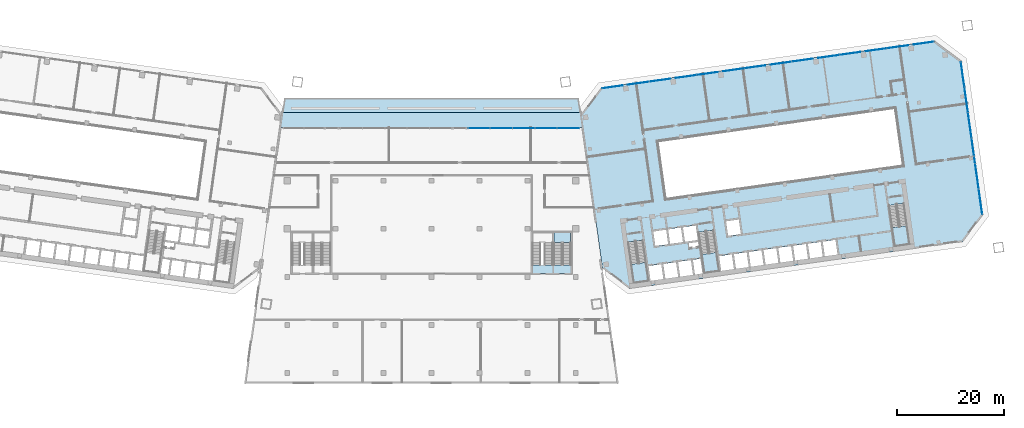
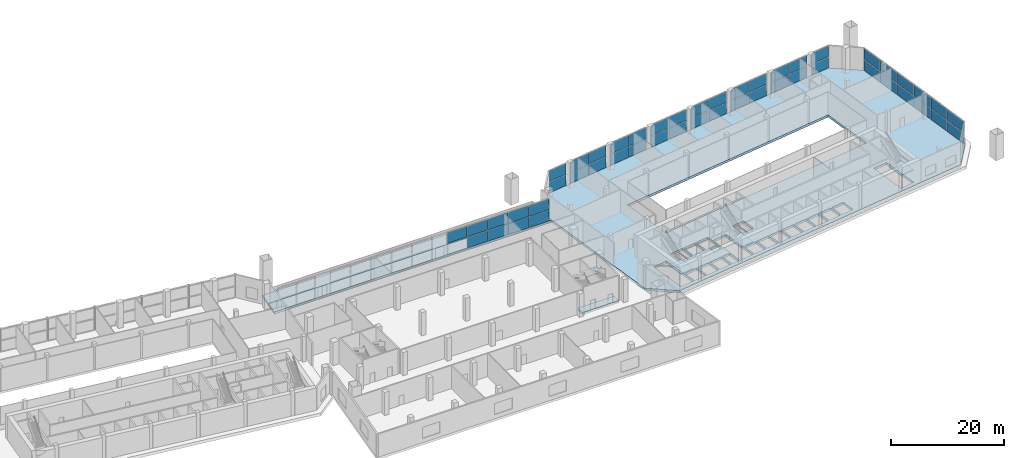
# One storey, part 9 of 23: 49 plates, 8 slabs, 7 elements without a shape of their own.
"""IFC4 building model written with IfcOpenShell, lengths in metres."""

from ifc_helpers import new_model, si_unit, direction, frame, origin, origin_2d, place, context, subcontext, project, spatial, polyline, rectangle, outline, extrude, material, layer, layer_set, type_object, element, aggregate, save


model = new_model("IFC4")

# Units and contexts
model_context = context("Model", 3, precision=1e-05, world=origin(), true_north=direction((0.0, 1.0)))
body_context = subcontext(model_context, "Body", "Model", "MODEL_VIEW")
ifc_project = project(units=[si_unit("LENGTHUNIT", "METRE"), si_unit("AREAUNIT", "SQUARE_METRE"), si_unit("VOLUMEUNIT", "CUBIC_METRE"), si_unit("PLANEANGLEUNIT", "RADIAN"), si_unit("MASSUNIT", "GRAM", prefix="KILO")], contexts=[model_context])

# Site, building, storey
site_placement = place(None, origin())
site = spatial("IfcSite", under=ifc_project, at=site_placement, CompositionType="ELEMENT")
building_placement = place(site_placement, origin())
building = spatial("IfcBuilding", under=site, at=building_placement, Name="Mirante Cascada Hotel Towers", CompositionType="ELEMENT")
storey_placement = place(building_placement, frame((0.0, 0.0, 29.0)))
storey = spatial("IfcBuildingStorey", under=building, at=storey_placement, Name="L04", CompositionType="ELEMENT", Elevation=29.0)

# Curtain wall, plates
ifc_material_1 = material(Name="Aluminium mullion and transom frame with clear laminated glass", Category="aluminium")
curtain_wall_type = type_object("IfcCurtainWallType", Name="Podium curtain wall ECW3", PredefinedType="NOTDEFINED", material=ifc_material_1)
curtain_wall_1_placement = place(storey_placement, origin())
curtain_wall_1 = element("IfcCurtainWall", 1, at=curtain_wall_1_placement, inside=storey, type_object=curtain_wall_type, Name="Front podium glazing T2 L04", PredefinedType="NOTDEFINED")
ifc_material_2 = material(Name="Clear laminated glass", Category="glass")
ifc_layer_1 = layer(ifc_material_2, 0.04)
ifc_layer_set_1 = layer_set([ifc_layer_1], Name="ECW3 glass panel 40")
plate_type = type_object("IfcPlateType", Name="ECW3 glass panel 40", PredefinedType="CURTAIN_PANEL", material=ifc_layer_set_1)
plate_1_placement = place(storey_placement, frame((92.1787, 25.7739, 0.12), z_axis=(0.0, 0.0, 1.0), x_axis=(-0.9902681, -0.1391731, 0.0)))
plate_1 = element("IfcPlate", 2, at=plate_1_placement, type_object=plate_type, Name="ECW3 panel 1", PredefinedType="CURTAIN_PANEL", context=body_context, shape_type="SweptSolid", body=[
    extrude(rectangle(XDim=3.8379, YDim=0.04, at=origin_2d()), origin(), (0.0, 0.0, 1.0), 2.32),
])
plate_2_placement = place(storey_placement, frame((92.1787, 25.7739, 2.56), z_axis=(0.0, 0.0, 1.0), x_axis=(-0.9902681, -0.1391731, 0.0)))
plate_2 = element("IfcPlate", 3, at=plate_2_placement, type_object=plate_type, Name="ECW3 panel 1", PredefinedType="CURTAIN_PANEL", context=body_context, shape_type="SweptSolid", body=[
    extrude(rectangle(XDim=3.8379, YDim=0.04, at=origin_2d()), origin(), (0.0, 0.0, 1.0), 2.32),
])
plate_3_placement = place(storey_placement, frame((87.2757, 25.0848, 0.12), z_axis=(0.0, 0.0, 1.0), x_axis=(-0.9902681, -0.1391731, 0.0)))
plate_3 = element("IfcPlate", 4, at=plate_3_placement, type_object=plate_type, Name="ECW3 panel 2", PredefinedType="CURTAIN_PANEL", context=body_context, shape_type="SweptSolid", body=[
    extrude(rectangle(XDim=3.9844, YDim=0.04, at=origin_2d()), origin(), (0.0, 0.0, 1.0), 2.32),
])
plate_4_placement = place(storey_placement, frame((87.2757, 25.0848, 2.56), z_axis=(0.0, 0.0, 1.0), x_axis=(-0.9902681, -0.1391731, 0.0)))
plate_4 = element("IfcPlate", 5, at=plate_4_placement, type_object=plate_type, Name="ECW3 panel 2", PredefinedType="CURTAIN_PANEL", context=body_context, shape_type="SweptSolid", body=[
    extrude(rectangle(XDim=3.9844, YDim=0.04, at=origin_2d()), origin(), (0.0, 0.0, 1.0), 2.32),
])
plate_5_placement = place(storey_placement, frame((83.2949, 24.5254, 0.12), z_axis=(0.0, 0.0, 1.0), x_axis=(-0.9902681, -0.1391731, 0.0)))
plate_5 = element("IfcPlate", 6, at=plate_5_placement, type_object=plate_type, Name="ECW3 panel 3", PredefinedType="CURTAIN_PANEL", context=body_context, shape_type="SweptSolid", body=[
    extrude(rectangle(XDim=3.8956, YDim=0.04, at=origin_2d()), origin(), (0.0, 0.0, 1.0), 2.32),
])
plate_6_placement = place(storey_placement, frame((83.2949, 24.5254, 2.56), z_axis=(0.0, 0.0, 1.0), x_axis=(-0.9902681, -0.1391731, 0.0)))
plate_6 = element("IfcPlate", 7, at=plate_6_placement, type_object=plate_type, Name="ECW3 panel 3", PredefinedType="CURTAIN_PANEL", context=body_context, shape_type="SweptSolid", body=[
    extrude(rectangle(XDim=3.8956, YDim=0.04, at=origin_2d()), origin(), (0.0, 0.0, 1.0), 2.32),
])
plate_7_placement = place(storey_placement, frame((78.3721, 23.8335, 0.12), z_axis=(0.0, 0.0, 1.0), x_axis=(-0.9902681, -0.1391731, 0.0)))
plate_7 = element("IfcPlate", 8, at=plate_7_placement, type_object=plate_type, Name="ECW3 panel 4", PredefinedType="CURTAIN_PANEL", context=body_context, shape_type="SweptSolid", body=[
    extrude(rectangle(XDim=3.9666, YDim=0.04, at=origin_2d()), origin(), (0.0, 0.0, 1.0), 2.32),
])
plate_8_placement = place(storey_placement, frame((78.3721, 23.8335, 2.56), z_axis=(0.0, 0.0, 1.0), x_axis=(-0.9902681, -0.1391731, 0.0)))
plate_8 = element("IfcPlate", 9, at=plate_8_placement, type_object=plate_type, Name="ECW3 panel 4", PredefinedType="CURTAIN_PANEL", context=body_context, shape_type="SweptSolid", body=[
    extrude(rectangle(XDim=3.9666, YDim=0.04, at=origin_2d()), origin(), (0.0, 0.0, 1.0), 2.32),
])
plate_9_placement = place(storey_placement, frame((74.3912, 23.274, 0.12), z_axis=(0.0, 0.0, 1.0), x_axis=(-0.9902681, -0.1391731, 0.0)))
plate_9 = element("IfcPlate", 10, at=plate_9_placement, type_object=plate_type, Name="ECW3 panel 5", PredefinedType="CURTAIN_PANEL", context=body_context, shape_type="SweptSolid", body=[
    extrude(rectangle(XDim=3.9134, YDim=0.04, at=origin_2d()), origin(), (0.0, 0.0, 1.0), 2.32),
])
plate_10_placement = place(storey_placement, frame((74.3912, 23.274, 2.56), z_axis=(0.0, 0.0, 1.0), x_axis=(-0.9902681, -0.1391731, 0.0)))
plate_10 = element("IfcPlate", 11, at=plate_10_placement, type_object=plate_type, Name="ECW3 panel 5", PredefinedType="CURTAIN_PANEL", context=body_context, shape_type="SweptSolid", body=[
    extrude(rectangle(XDim=3.9134, YDim=0.04, at=origin_2d()), origin(), (0.0, 0.0, 1.0), 2.32),
])
plate_11_placement = place(storey_placement, frame((69.4685, 22.5822, 0.12), z_axis=(0.0, 0.0, 1.0), x_axis=(-0.9902681, -0.1391731, 0.0)))
plate_11 = element("IfcPlate", 12, at=plate_11_placement, type_object=plate_type, Name="ECW3 panel 6", PredefinedType="CURTAIN_PANEL", context=body_context, shape_type="SweptSolid", body=[
    extrude(rectangle(XDim=3.9489, YDim=0.04, at=origin_2d()), origin(), (0.0, 0.0, 1.0), 2.32),
])
plate_12_placement = place(storey_placement, frame((69.4685, 22.5822, 2.56), z_axis=(0.0, 0.0, 1.0), x_axis=(-0.9902681, -0.1391731, 0.0)))
plate_12 = element("IfcPlate", 13, at=plate_12_placement, type_object=plate_type, Name="ECW3 panel 6", PredefinedType="CURTAIN_PANEL", context=body_context, shape_type="SweptSolid", body=[
    extrude(rectangle(XDim=3.9489, YDim=0.04, at=origin_2d()), origin(), (0.0, 0.0, 1.0), 2.32),
])
plate_13_placement = place(storey_placement, frame((65.4876, 22.0227, 0.12), z_axis=(0.0, 0.0, 1.0), x_axis=(-0.9902681, -0.1391731, 0.0)))
plate_13 = element("IfcPlate", 14, at=plate_13_placement, type_object=plate_type, Name="ECW3 panel 7", PredefinedType="CURTAIN_PANEL", context=body_context, shape_type="SweptSolid", body=[
    extrude(rectangle(XDim=3.9311, YDim=0.04, at=origin_2d()), origin(), (0.0, 0.0, 1.0), 2.32),
])
plate_14_placement = place(storey_placement, frame((65.4876, 22.0227, 2.56), z_axis=(0.0, 0.0, 1.0), x_axis=(-0.9902681, -0.1391731, 0.0)))
plate_14 = element("IfcPlate", 15, at=plate_14_placement, type_object=plate_type, Name="ECW3 panel 7", PredefinedType="CURTAIN_PANEL", context=body_context, shape_type="SweptSolid", body=[
    extrude(rectangle(XDim=3.9311, YDim=0.04, at=origin_2d()), origin(), (0.0, 0.0, 1.0), 2.32),
])
plate_15_placement = place(storey_placement, frame((60.5649, 21.3309, 0.12), z_axis=(0.0, 0.0, 1.0), x_axis=(-0.9902681, -0.1391731, 0.0)))
plate_15 = element("IfcPlate", 16, at=plate_15_placement, type_object=plate_type, Name="ECW3 panel 8", PredefinedType="CURTAIN_PANEL", context=body_context, shape_type="SweptSolid", body=[
    extrude(rectangle(XDim=3.9311, YDim=0.04, at=origin_2d()), origin(), (0.0, 0.0, 1.0), 2.32),
])
plate_16_placement = place(storey_placement, frame((60.5649, 21.3309, 2.56), z_axis=(0.0, 0.0, 1.0), x_axis=(-0.9902681, -0.1391731, 0.0)))
plate_16 = element("IfcPlate", 17, at=plate_16_placement, type_object=plate_type, Name="ECW3 panel 8", PredefinedType="CURTAIN_PANEL", context=body_context, shape_type="SweptSolid", body=[
    extrude(rectangle(XDim=3.9311, YDim=0.04, at=origin_2d()), origin(), (0.0, 0.0, 1.0), 2.32),
])
plate_17_placement = place(storey_placement, frame((56.584, 20.7714, 0.12), z_axis=(0.0, 0.0, 1.0), x_axis=(-0.9902681, -0.1391731, 0.0)))
plate_17 = element("IfcPlate", 18, at=plate_17_placement, type_object=plate_type, Name="ECW3 panel 9", PredefinedType="CURTAIN_PANEL", context=body_context, shape_type="SweptSolid", body=[
    extrude(rectangle(XDim=3.9489, YDim=0.04, at=origin_2d()), origin(), (0.0, 0.0, 1.0), 2.32),
])
plate_18_placement = place(storey_placement, frame((56.584, 20.7714, 2.56), z_axis=(0.0, 0.0, 1.0), x_axis=(-0.9902681, -0.1391731, 0.0)))
plate_18 = element("IfcPlate", 19, at=plate_18_placement, type_object=plate_type, Name="ECW3 panel 9", PredefinedType="CURTAIN_PANEL", context=body_context, shape_type="SweptSolid", body=[
    extrude(rectangle(XDim=3.9489, YDim=0.04, at=origin_2d()), origin(), (0.0, 0.0, 1.0), 2.32),
])
plate_19_placement = place(storey_placement, frame((51.6612, 20.0795, 0.12), z_axis=(0.0, 0.0, 1.0), x_axis=(-0.9902681, -0.1391731, 0.0)))
plate_19 = element("IfcPlate", 20, at=plate_19_placement, type_object=plate_type, Name="ECW3 panel 10", PredefinedType="CURTAIN_PANEL", context=body_context, shape_type="SweptSolid", body=[
    extrude(rectangle(XDim=3.9134, YDim=0.04, at=origin_2d()), origin(), (0.0, 0.0, 1.0), 2.32),
])
plate_20_placement = place(storey_placement, frame((51.6612, 20.0795, 2.56), z_axis=(0.0, 0.0, 1.0), x_axis=(-0.9902681, -0.1391731, 0.0)))
plate_20 = element("IfcPlate", 21, at=plate_20_placement, type_object=plate_type, Name="ECW3 panel 10", PredefinedType="CURTAIN_PANEL", context=body_context, shape_type="SweptSolid", body=[
    extrude(rectangle(XDim=3.9134, YDim=0.04, at=origin_2d()), origin(), (0.0, 0.0, 1.0), 2.32),
])
plate_21_placement = place(storey_placement, frame((47.6804, 19.5201, 0.12), z_axis=(0.0, 0.0, 1.0), x_axis=(-0.9902681, -0.1391731, 0.0)))
plate_21 = element("IfcPlate", 22, at=plate_21_placement, type_object=plate_type, Name="ECW3 panel 11", PredefinedType="CURTAIN_PANEL", context=body_context, shape_type="SweptSolid", body=[
    extrude(rectangle(XDim=3.9666, YDim=0.04, at=origin_2d()), origin(), (0.0, 0.0, 1.0), 2.32),
])
plate_22_placement = place(storey_placement, frame((47.6804, 19.5201, 2.56), z_axis=(0.0, 0.0, 1.0), x_axis=(-0.9902681, -0.1391731, 0.0)))
plate_22 = element("IfcPlate", 23, at=plate_22_placement, type_object=plate_type, Name="ECW3 panel 11", PredefinedType="CURTAIN_PANEL", context=body_context, shape_type="SweptSolid", body=[
    extrude(rectangle(XDim=3.9666, YDim=0.04, at=origin_2d()), origin(), (0.0, 0.0, 1.0), 2.32),
])
plate_23_placement = place(storey_placement, frame((42.7576, 18.8282, 0.12), z_axis=(0.0, 0.0, 1.0), x_axis=(-0.9902681, -0.1391731, 0.0)))
plate_23 = element("IfcPlate", 24, at=plate_23_placement, type_object=plate_type, Name="ECW3 panel 12", PredefinedType="CURTAIN_PANEL", context=body_context, shape_type="SweptSolid", body=[
    extrude(rectangle(XDim=3.8956, YDim=0.04, at=origin_2d()), origin(), (0.0, 0.0, 1.0), 2.32),
])
plate_24_placement = place(storey_placement, frame((42.7576, 18.8282, 2.56), z_axis=(0.0, 0.0, 1.0), x_axis=(-0.9902681, -0.1391731, 0.0)))
plate_24 = element("IfcPlate", 25, at=plate_24_placement, type_object=plate_type, Name="ECW3 panel 12", PredefinedType="CURTAIN_PANEL", context=body_context, shape_type="SweptSolid", body=[
    extrude(rectangle(XDim=3.8956, YDim=0.04, at=origin_2d()), origin(), (0.0, 0.0, 1.0), 2.32),
])
plate_25_placement = place(storey_placement, frame((38.7767, 18.2687, 0.12), z_axis=(0.0, 0.0, 1.0), x_axis=(-0.9902681, -0.1391731, 0.0)))
plate_25 = element("IfcPlate", 26, at=plate_25_placement, type_object=plate_type, Name="ECW3 panel 13", PredefinedType="CURTAIN_PANEL", context=body_context, shape_type="SweptSolid", body=[
    extrude(rectangle(XDim=3.9844, YDim=0.04, at=origin_2d()), origin(), (0.0, 0.0, 1.0), 2.32),
])
plate_26_placement = place(storey_placement, frame((38.7767, 18.2687, 2.56), z_axis=(0.0, 0.0, 1.0), x_axis=(-0.9902681, -0.1391731, 0.0)))
plate_26 = element("IfcPlate", 27, at=plate_26_placement, type_object=plate_type, Name="ECW3 panel 13", PredefinedType="CURTAIN_PANEL", context=body_context, shape_type="SweptSolid", body=[
    extrude(rectangle(XDim=3.9844, YDim=0.04, at=origin_2d()), origin(), (0.0, 0.0, 1.0), 2.32),
])
plate_27_placement = place(storey_placement, frame((33.8738, 17.5797, 0.12), z_axis=(0.0, 0.0, 1.0), x_axis=(-0.9902681, -0.1391731, 0.0)))
plate_27 = element("IfcPlate", 28, at=plate_27_placement, type_object=plate_type, Name="ECW3 panel 14", PredefinedType="CURTAIN_PANEL", context=body_context, shape_type="SweptSolid", body=[
    extrude(rectangle(XDim=3.8379, YDim=0.04, at=origin_2d()), origin(), (0.0, 0.0, 1.0), 2.32),
])
plate_28_placement = place(storey_placement, frame((33.8738, 17.5797, 2.56), z_axis=(0.0, 0.0, 1.0), x_axis=(-0.9902681, -0.1391731, 0.0)))
plate_28 = element("IfcPlate", 29, at=plate_28_placement, type_object=plate_type, Name="ECW3 panel 14", PredefinedType="CURTAIN_PANEL", context=body_context, shape_type="SweptSolid", body=[
    extrude(rectangle(XDim=3.8379, YDim=0.04, at=origin_2d()), origin(), (0.0, 0.0, 1.0), 2.32),
])
aggregate(curtain_wall_1, [plate_1, plate_2, plate_3, plate_4, plate_5, plate_6, plate_7, plate_8, plate_9, plate_10, plate_11, plate_12, plate_13, plate_14, plate_15, plate_16, plate_17, plate_18, plate_19, plate_20, plate_21, plate_22, plate_23, plate_24, plate_25, plate_26, plate_27, plate_28])

curtain_wall_2_placement = place(storey_placement, origin())
curtain_wall_2 = element("IfcCurtainWall", 30, at=curtain_wall_2_placement, inside=storey, type_object=curtain_wall_type, Name="Outer end podium glazing T2 L04", PredefinedType="NOTDEFINED")
plate_29_placement = place(storey_placement, frame((102.8224, -3.8951, 0.12), z_axis=(0.0, 0.0, 1.0), x_axis=(-0.1391731, 0.9902681, 0.0)))
plate_29 = element("IfcPlate", 31, at=plate_29_placement, type_object=plate_type, Name="ECW3 panel 1", PredefinedType="CURTAIN_PANEL", context=body_context, shape_type="SweptSolid", body=[
    extrude(rectangle(XDim=4.6926, YDim=0.04, at=origin_2d()), origin(), (0.0, 0.0, 1.0), 2.32),
])
plate_30_placement = place(storey_placement, frame((102.8224, -3.8951, 2.56), z_axis=(0.0, 0.0, 1.0), x_axis=(-0.1391731, 0.9902681, 0.0)))
plate_30 = element("IfcPlate", 32, at=plate_30_placement, type_object=plate_type, Name="ECW3 panel 1", PredefinedType="CURTAIN_PANEL", context=body_context, shape_type="SweptSolid", body=[
    extrude(rectangle(XDim=4.6926, YDim=0.04, at=origin_2d()), origin(), (0.0, 0.0, 1.0), 2.32),
])
plate_31_placement = place(storey_placement, frame((102.1554, 0.8509, 0.12), z_axis=(0.0, 0.0, 1.0), x_axis=(-0.1391731, 0.9902681, 0.0)))
plate_31 = element("IfcPlate", 33, at=plate_31_placement, type_object=plate_type, Name="ECW3 panel 2", PredefinedType="CURTAIN_PANEL", context=body_context, shape_type="SweptSolid", body=[
    extrude(rectangle(XDim=4.7326, YDim=0.04, at=origin_2d()), origin(), (0.0, 0.0, 1.0), 2.32),
])
plate_32_placement = place(storey_placement, frame((102.1554, 0.8509, 2.56), z_axis=(0.0, 0.0, 1.0), x_axis=(-0.1391731, 0.9902681, 0.0)))
plate_32 = element("IfcPlate", 34, at=plate_32_placement, type_object=plate_type, Name="ECW3 panel 2", PredefinedType="CURTAIN_PANEL", context=body_context, shape_type="SweptSolid", body=[
    extrude(rectangle(XDim=4.7326, YDim=0.04, at=origin_2d()), origin(), (0.0, 0.0, 1.0), 2.32),
])
plate_33_placement = place(storey_placement, frame((101.4857, 5.6167, 0.12), z_axis=(0.0, 0.0, 1.0), x_axis=(-0.1391731, 0.9902681, 0.0)))
plate_33 = element("IfcPlate", 35, at=plate_33_placement, type_object=plate_type, Name="ECW3 panel 3", PredefinedType="CURTAIN_PANEL", context=body_context, shape_type="SweptSolid", body=[
    extrude(rectangle(XDim=4.7326, YDim=0.04, at=origin_2d()), origin(), (0.0, 0.0, 1.0), 2.32),
])
plate_34_placement = place(storey_placement, frame((101.4857, 5.6167, 2.56), z_axis=(0.0, 0.0, 1.0), x_axis=(-0.1391731, 0.9902681, 0.0)))
plate_34 = element("IfcPlate", 36, at=plate_34_placement, type_object=plate_type, Name="ECW3 panel 3", PredefinedType="CURTAIN_PANEL", context=body_context, shape_type="SweptSolid", body=[
    extrude(rectangle(XDim=4.7326, YDim=0.04, at=origin_2d()), origin(), (0.0, 0.0, 1.0), 2.32),
])
plate_35_placement = place(storey_placement, frame((100.8159, 10.3825, 0.12), z_axis=(0.0, 0.0, 1.0), x_axis=(-0.1391731, 0.9902681, 0.0)))
plate_35 = element("IfcPlate", 37, at=plate_35_placement, type_object=plate_type, Name="ECW3 panel 4", PredefinedType="CURTAIN_PANEL", context=body_context, shape_type="SweptSolid", body=[
    extrude(rectangle(XDim=4.7326, YDim=0.04, at=origin_2d()), origin(), (0.0, 0.0, 1.0), 2.32),
])
plate_36_placement = place(storey_placement, frame((100.8159, 10.3825, 2.56), z_axis=(0.0, 0.0, 1.0), x_axis=(-0.1391731, 0.9902681, 0.0)))
plate_36 = element("IfcPlate", 38, at=plate_36_placement, type_object=plate_type, Name="ECW3 panel 4", PredefinedType="CURTAIN_PANEL", context=body_context, shape_type="SweptSolid", body=[
    extrude(rectangle(XDim=4.7326, YDim=0.04, at=origin_2d()), origin(), (0.0, 0.0, 1.0), 2.32),
])
plate_37_placement = place(storey_placement, frame((100.1461, 15.1483, 0.12), z_axis=(0.0, 0.0, 1.0), x_axis=(-0.1391731, 0.9902681, 0.0)))
plate_37 = element("IfcPlate", 39, at=plate_37_placement, type_object=plate_type, Name="ECW3 panel 5", PredefinedType="CURTAIN_PANEL", context=body_context, shape_type="SweptSolid", body=[
    extrude(rectangle(XDim=4.7326, YDim=0.04, at=origin_2d()), origin(), (0.0, 0.0, 1.0), 2.32),
])
plate_38_placement = place(storey_placement, frame((100.1461, 15.1483, 2.56), z_axis=(0.0, 0.0, 1.0), x_axis=(-0.1391731, 0.9902681, 0.0)))
plate_38 = element("IfcPlate", 40, at=plate_38_placement, type_object=plate_type, Name="ECW3 panel 5", PredefinedType="CURTAIN_PANEL", context=body_context, shape_type="SweptSolid", body=[
    extrude(rectangle(XDim=4.7326, YDim=0.04, at=origin_2d()), origin(), (0.0, 0.0, 1.0), 2.32),
])
plate_39_placement = place(storey_placement, frame((99.4791, 19.8942, 0.12), z_axis=(0.0, 0.0, 1.0), x_axis=(-0.1391731, 0.9902681, 0.0)))
plate_39 = element("IfcPlate", 41, at=plate_39_placement, type_object=plate_type, Name="ECW3 panel 6", PredefinedType="CURTAIN_PANEL", context=body_context, shape_type="SweptSolid", body=[
    extrude(rectangle(XDim=4.6926, YDim=0.04, at=origin_2d()), origin(), (0.0, 0.0, 1.0), 2.32),
])
plate_40_placement = place(storey_placement, frame((99.4791, 19.8942, 2.56), z_axis=(0.0, 0.0, 1.0), x_axis=(-0.1391731, 0.9902681, 0.0)))
plate_40 = element("IfcPlate", 42, at=plate_40_placement, type_object=plate_type, Name="ECW3 panel 6", PredefinedType="CURTAIN_PANEL", context=body_context, shape_type="SweptSolid", body=[
    extrude(rectangle(XDim=4.6926, YDim=0.04, at=origin_2d()), origin(), (0.0, 0.0, 1.0), 2.32),
])
aggregate(curtain_wall_2, [plate_29, plate_30, plate_31, plate_32, plate_33, plate_34, plate_35, plate_36, plate_37, plate_38, plate_39, plate_40])

curtain_wall_3_placement = place(storey_placement, origin())
curtain_wall_3 = element("IfcCurtainWall", 43, at=curtain_wall_3_placement, inside=storey, type_object=curtain_wall_type, Name="Podium curtain wall L04 run 3.1", PredefinedType="NOTDEFINED")
plate_41_placement = place(storey_placement, frame((25.5985, 9.85, 0.12), z_axis=(0.0, 0.0, 1.0), x_axis=(-1.0, 0.0, 0.0)))
plate_41 = element("IfcPlate", 44, at=plate_41_placement, type_object=plate_type, Name="ECW3 panel 1", PredefinedType="CURTAIN_PANEL", context=body_context, shape_type="SweptSolid", body=[
    extrude(rectangle(XDim=4.0581, YDim=0.04, at=origin_2d()), origin(), (0.0, 0.0, 1.0), 2.32),
])
plate_42_placement = place(storey_placement, frame((25.5985, 9.85, 2.56), z_axis=(0.0, 0.0, 1.0), x_axis=(-1.0, 0.0, 0.0)))
plate_42 = element("IfcPlate", 45, at=plate_42_placement, type_object=plate_type, Name="ECW3 panel 1", PredefinedType="CURTAIN_PANEL", context=body_context, shape_type="SweptSolid", body=[
    extrude(rectangle(XDim=4.0581, YDim=0.04, at=origin_2d()), origin(), (0.0, 0.0, 1.0), 2.32),
])
plate_43_placement = place(storey_placement, frame((21.4404, 9.85, 0.12), z_axis=(0.0, 0.0, 1.0), x_axis=(-1.0, 0.0, 0.0)))
plate_43 = element("IfcPlate", 46, at=plate_43_placement, type_object=plate_type, Name="ECW3 panel 2", PredefinedType="CURTAIN_PANEL", context=body_context, shape_type="SweptSolid", body=[
    extrude(rectangle(XDim=4.0981, YDim=0.04, at=origin_2d()), origin(), (0.0, 0.0, 1.0), 2.32),
])
plate_44_placement = place(storey_placement, frame((21.4404, 9.85, 2.56), z_axis=(0.0, 0.0, 1.0), x_axis=(-1.0, 0.0, 0.0)))
plate_44 = element("IfcPlate", 47, at=plate_44_placement, type_object=plate_type, Name="ECW3 panel 2", PredefinedType="CURTAIN_PANEL", context=body_context, shape_type="SweptSolid", body=[
    extrude(rectangle(XDim=4.0981, YDim=0.04, at=origin_2d()), origin(), (0.0, 0.0, 1.0), 2.32),
])
plate_45_placement = place(storey_placement, frame((17.2623, 9.85, 0.12), z_axis=(0.0, 0.0, 1.0), x_axis=(-1.0, 0.0, 0.0)))
plate_45 = element("IfcPlate", 48, at=plate_45_placement, type_object=plate_type, Name="ECW3 panel 3", PredefinedType="CURTAIN_PANEL", context=body_context, shape_type="SweptSolid", body=[
    extrude(rectangle(XDim=4.0981, YDim=0.04, at=origin_2d()), origin(), (0.0, 0.0, 1.0), 2.32),
])
plate_46_placement = place(storey_placement, frame((17.2623, 9.85, 2.56), z_axis=(0.0, 0.0, 1.0), x_axis=(-1.0, 0.0, 0.0)))
plate_46 = element("IfcPlate", 49, at=plate_46_placement, type_object=plate_type, Name="ECW3 panel 3", PredefinedType="CURTAIN_PANEL", context=body_context, shape_type="SweptSolid", body=[
    extrude(rectangle(XDim=4.0981, YDim=0.04, at=origin_2d()), origin(), (0.0, 0.0, 1.0), 2.32),
])
plate_47_placement = place(storey_placement, frame((13.0842, 9.85, 0.12), z_axis=(0.0, 0.0, 1.0), x_axis=(-1.0, 0.0, 0.0)))
plate_47 = element("IfcPlate", 50, at=plate_47_placement, type_object=plate_type, Name="ECW3 panel 4", PredefinedType="CURTAIN_PANEL", context=body_context, shape_type="SweptSolid", body=[
    extrude(rectangle(XDim=4.0981, YDim=0.04, at=origin_2d()), origin(), (0.0, 0.0, 1.0), 2.32),
])
plate_48_placement = place(storey_placement, frame((13.0842, 9.85, 2.56), z_axis=(0.0, 0.0, 1.0), x_axis=(-1.0, 0.0, 0.0)))
plate_48 = element("IfcPlate", 51, at=plate_48_placement, type_object=plate_type, Name="ECW3 panel 4", PredefinedType="CURTAIN_PANEL", context=body_context, shape_type="SweptSolid", body=[
    extrude(rectangle(XDim=4.0981, YDim=0.04, at=origin_2d()), origin(), (0.0, 0.0, 1.0), 2.32),
])
plate_49_placement = place(storey_placement, frame((8.9261, 9.85, 2.56), z_axis=(0.0, 0.0, 1.0), x_axis=(-1.0, 0.0, 0.0)))
plate_49 = element("IfcPlate", 52, at=plate_49_placement, type_object=plate_type, Name="ECW3 panel 5", PredefinedType="CURTAIN_PANEL", context=body_context, shape_type="SweptSolid", body=[
    extrude(rectangle(XDim=4.0581, YDim=0.04, at=origin_2d()), origin(), (0.0, 0.0, 1.0), 2.32),
])
aggregate(curtain_wall_3, [plate_41, plate_42, plate_43, plate_44, plate_45, plate_46, plate_47, plate_48, plate_49])

# Stair, slab
ifc_material_3 = material(Name="Concrete C35/45", Category="concrete")
stair_type_1 = type_object("IfcStairType", Name="Exit stair half-turn 1350 concrete C35/45", PredefinedType="HALF_TURN_STAIR", material=ifc_material_3)
stair_1_placement = place(storey_placement, origin())
stair_1 = element("IfcStair", 53, at=stair_1_placement, inside=storey, type_object=stair_type_1, Name="L04 Exit stair A", PredefinedType="HALF_TURN_STAIR")
ifc_material_4 = material(Name="Concrete C35/45", Category="concrete")
ifc_layer_2 = layer(ifc_material_4, 0.2)
ifc_layer_set_2 = layer_set([ifc_layer_2], Name="Exit stair landing 200 concrete C35/45")
slab_type_1 = type_object("IfcSlabType", Name="Exit stair landing 200 concrete C35/45", PredefinedType="LANDING", material=ifc_layer_set_2)
slab_1_placement = place(storey_placement, frame((0.0, 0.0, 2.55)))
slab_1 = element("IfcSlab", 54, at=slab_1_placement, type_object=slab_type_1, Name="ST2-A landing 1", PredefinedType="LANDING", context=body_context, shape_type="SweptSolid", body=[
    extrude(outline(polyline([(37.3713, -15.6489), (37.8665, -19.1723), (40.6887, -18.7757), (40.1936, -15.2523), (37.3713, -15.6489)])), origin(), (0.0, 0.0, 1.0), 0.2),
])
aggregate(stair_1, [slab_1])

stair_2_placement = place(storey_placement, origin())
stair_2 = element("IfcStair", 55, at=stair_2_placement, inside=storey, type_object=stair_type_1, Name="L04 Exit stair B", PredefinedType="HALF_TURN_STAIR")
slab_2_placement = place(storey_placement, frame((0.0, 0.0, 2.55)))
slab_2 = element("IfcSlab", 56, at=slab_2_placement, type_object=slab_type_1, Name="ST2-B landing 1", PredefinedType="LANDING", context=body_context, shape_type="SweptSolid", body=[
    extrude(outline(polyline([(50.5914, -13.791), (51.0866, -17.3144), (53.9088, -16.9177), (53.4136, -13.3943), (50.5914, -13.791)])), origin(), (0.0, 0.0, 1.0), 0.2),
])
aggregate(stair_2, [slab_2])

stair_3_placement = place(storey_placement, origin())
stair_3 = element("IfcStair", 57, at=stair_3_placement, inside=storey, type_object=stair_type_1, Name="L04 Exit stair C", PredefinedType="HALF_TURN_STAIR")
slab_3_placement = place(storey_placement, frame((0.0, 0.0, 2.55)))
slab_3 = element("IfcSlab", 58, at=slab_3_placement, type_object=slab_type_1, Name="ST2-C landing 1", PredefinedType="LANDING", context=body_context, shape_type="SweptSolid", body=[
    extrude(outline(polyline([(86.241, -8.7808), (86.7362, -12.3041), (89.5585, -11.9075), (89.0633, -8.3841), (86.241, -8.7808)])), origin(), (0.0, 0.0, 1.0), 0.2),
])
aggregate(stair_3, [slab_3])

ifc_material_5 = material(Name="Concrete C35/45", Category="concrete")
stair_type_2 = type_object("IfcStairType", Name="Podium exit stair half-turn 1500 concrete C35/45", PredefinedType="HALF_TURN_STAIR", material=ifc_material_5)
stair_4_placement = place(storey_placement, origin())
stair_4 = element("IfcStair", 59, at=stair_4_placement, inside=storey, type_object=stair_type_2, Name="L04 Podium exit stair 4", PredefinedType="HALF_TURN_STAIR")
ifc_material_6 = material(Name="Concrete C35/45", Category="concrete")
ifc_layer_3 = layer(ifc_material_6, 0.2)
ifc_layer_set_3 = layer_set([ifc_layer_3], Name="Podium exit stair landing 200 concrete C35/45")
slab_type_2 = type_object("IfcSlabType", Name="Podium exit stair landing 200 concrete C35/45", PredefinedType="LANDING", material=ifc_layer_set_3)
slab_4_placement = place(storey_placement, frame((0.0, 0.0, 2.55)))
slab_4 = element("IfcSlab", 60, at=slab_4_placement, type_object=slab_type_2, Name="PS2 landing 1", PredefinedType="LANDING", context=body_context, shape_type="SweptSolid", body=[
    extrude(outline(polyline([(26.075, -11.575), (26.075, -9.725), (22.925, -9.725), (22.925, -11.575), (26.075, -11.575)])), origin(), (0.0, 0.0, 1.0), 0.2),
])
aggregate(stair_4, [slab_4])

# Slabs
ifc_material_7 = material(Name="Concrete C40/50", Category="concrete")
ifc_layer_4 = layer(ifc_material_7, 0.5)
ifc_layer_set_4 = layer_set([ifc_layer_4], Name="Post-tensioned flat plate 500 Concrete C40/50")
slab_type_3 = type_object("IfcSlabType", Name="Post-tensioned flat plate 500 Concrete C40/50", PredefinedType="FLOOR", material=ifc_layer_set_4)
slab_5_placement = place(storey_placement, frame((0.0, 0.0, -0.5)))
element("IfcSlab", 61, at=slab_5_placement, inside=storey, type_object=slab_type_3, Name="Floor T2 L04", PredefinedType="FLOOR", context=body_context, shape_type="SweptSolid", body=[
    extrude(outline(polyline([(32.018, -16.3589), (27.982, 12.3589), (31.8119, 17.4414), (94.1988, 26.2093), (99.2813, 22.3794), (103.3173, -6.3384), (99.4874, -11.4209), (37.1005, -20.1888), (32.018, -16.3589)]), holes=[polyline([(43.0718, -15.6132), (40.5961, -15.9612), (40.9858, -18.7339), (43.4615, -18.386), (43.0718, -15.6132)]), polyline([(45.8446, -15.2236), (43.3689, -15.5715), (43.7586, -18.3442), (46.2342, -17.9963), (45.8446, -15.2236)]), polyline([(48.6173, -14.8339), (46.1416, -15.1818), (46.5313, -17.9546), (49.007, -17.6066), (48.6173, -14.8339)]), polyline([(50.7895, -17.3561), (50.3998, -14.5834), (48.9144, -14.7921), (49.3041, -17.5649), (50.7895, -17.3561)]), polyline([(56.6816, -16.528), (56.2919, -13.7553), (53.8162, -14.1032), (54.2059, -16.876), (56.6816, -16.528)]), polyline([(37.8665, -19.1723), (40.6887, -18.7757), (39.611, -11.107), (36.7887, -11.5037), (37.8665, -19.1723)]), polyline([(51.0866, -17.3144), (53.9088, -16.9177), (52.8311, -9.2491), (50.0088, -9.6457), (51.0866, -17.3144)]), polyline([(49.9544, -11.4145), (48.1472, -11.6685), (48.2829, -12.634), (50.0901, -12.38), (49.9544, -11.4145)]), polyline([(44.3672, -11.8968), (43.9775, -9.124), (41.5018, -9.472), (41.8915, -12.2447), (44.3672, -11.8968)]), polyline([(47.1399, -11.5071), (46.7503, -8.7344), (44.2746, -9.0823), (44.6643, -11.855), (47.1399, -11.5071)]), polyline([(49.523, -8.3447), (47.0473, -8.6926), (47.437, -11.4654), (49.9127, -11.1174), (49.523, -8.3447)]), polyline([(59.0646, -13.3656), (56.589, -13.7135), (56.9787, -16.4863), (59.4543, -16.1383), (59.0646, -13.3656)]), polyline([(61.8374, -12.9759), (59.3617, -13.3238), (59.7514, -16.0966), (62.2271, -15.7487), (61.8374, -12.9759)]), polyline([(64.9998, -15.359), (64.6101, -12.5862), (62.1345, -12.9342), (62.5242, -15.7069), (64.9998, -15.359)]), polyline([(67.7726, -14.9693), (67.3829, -12.1965), (64.9072, -12.5445), (65.2969, -15.3172), (67.7726, -14.9693)]), polyline([(70.1556, -11.8069), (67.68, -12.1548), (68.0697, -14.9275), (70.5453, -14.5796), (70.1556, -11.8069)]), polyline([(73.3181, -14.1899), (72.9284, -11.4172), (70.4527, -11.7651), (70.8424, -14.5379), (73.3181, -14.1899)]), polyline([(76.0908, -13.8002), (75.7011, -11.0275), (73.2255, -11.3754), (73.6152, -14.1482), (76.0908, -13.8002)]), polyline([(86.7362, -12.3041), (89.5585, -11.9075), (88.4807, -4.2388), (85.6585, -4.6355), (86.7362, -12.3041)]), polyline([(57.9834, -9.9832), (57.5937, -7.2104), (55.118, -7.5583), (55.5077, -10.3311), (57.9834, -9.9832)]), polyline([(88.4039, 2.7747), (86.873, 13.6677), (42.3109, 7.4049), (43.8418, -3.4881), (88.4039, 2.7747)])]), origin(), (0.0, 0.0, 1.0), 0.5),
])
ifc_material_8 = material(Name="Concrete C35/45", Category="concrete")
ifc_layer_5 = layer(ifc_material_8, 0.5)
ifc_layer_set_5 = layer_set([ifc_layer_5], Name="Stair floor landing 500 concrete C35/45")
slab_type_4 = type_object("IfcSlabType", Name="Stair floor landing 500 concrete C35/45", PredefinedType="LANDING", material=ifc_layer_set_5)
slab_6_placement = place(storey_placement, frame((0.0, 0.0, -0.5)))
element("IfcSlab", 62, at=slab_6_placement, inside=storey, type_object=slab_type_4, Name="Exit stair 4 floor landing L04", PredefinedType="LANDING", context=body_context, shape_type="SweptSolid", body=[
    extrude(outline(polyline([(18.8, -17.4), (26.2, -17.4), (26.2, -15.775), (18.8, -15.775), (18.8, -17.4)])), origin(), (0.0, 0.0, 1.0), 0.5),
])
ifc_material_9 = material(Name="Concrete C35/45", Category="concrete")
ifc_layer_6 = layer(ifc_material_9, 0.5)
ifc_layer_set_6 = layer_set([ifc_layer_6], Name="Terrace slab 500 C35/45")
slab_type_5 = type_object("IfcSlabType", Name="Terrace slab 500 C35/45", PredefinedType="ROOF", material=ifc_layer_set_6)
slab_7_placement = place(storey_placement, frame((0.0, 0.0, -0.5)))
element("IfcSlab", 63, at=slab_7_placement, inside=storey, type_object=slab_type_5, Name="Planted terrace slab above L03", PredefinedType="ROOF", context=body_context, shape_type="SweptSolid", body=[
    extrude(outline(polyline([(28.3135, 10.0), (-28.3135, 10.0), (-27.927, 12.75), (27.927, 12.75), (28.3135, 10.0)])), origin(), (0.0, 0.0, 1.0), 0.5),
])
slab_8_placement = place(storey_placement, frame((0.0, 0.0, -0.5)))
element("IfcSlab", 64, at=slab_8_placement, inside=storey, type_object=slab_type_5, Name="Planted terrace slab above L03", PredefinedType="ROOF", context=body_context, shape_type="SweptSolid", body=[
    extrude(outline(polyline([(27.5405, 15.5), (27.927, 12.75), (-27.927, 12.75), (-27.5405, 15.5), (27.5405, 15.5)])), origin(), (0.0, 0.0, 1.0), 0.5),
])

save(model, "model.ifc")
